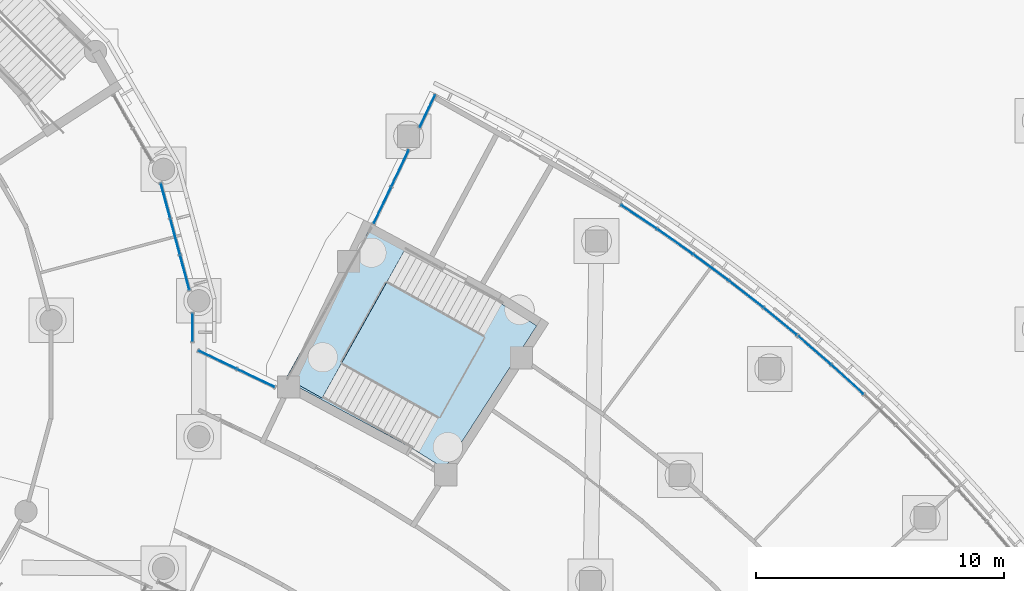
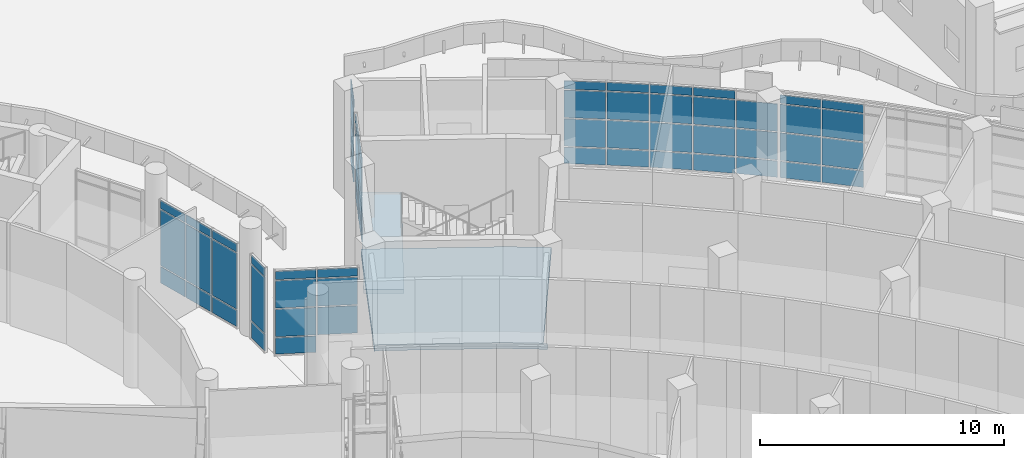
# One storey, part 51 of 146: 58 plates, 2 slabs, 8 elements without a shape of their own.
"""IFC4 building model written with IfcOpenShell, lengths in metres."""

import ifcopenshell
import ifcopenshell.guid

model = None  # the IFC model being written
_history = None  # IfcOwnerHistory: only IFC2X3 demands one
_inside = {}  # id of a spatial element -> (the spatial element, [elements in it])
_under = {}  # id of a project, library or spatial element -> (it, [spatial elements below it])
_declared = {}  # id of a project -> (the project, [libraries it declares])
_typed = {}  # id of a type object -> (the type object, [elements of that type])
_made_of = {}  # id of a material, layer set ... -> (it, [elements and type objects made of it])


def new_model(schema):
    """Start an empty IFC model of exactly this schema.

    Asked for "IFC4X3", IfcOpenShell would pick the latest addendum, in which some entities
    have other attributes; the version numbers below select the first issue.
    IFC2X3 requires an IfcOwnerHistory on every rooted entity: one is made here for all.
    """
    global model, _history
    if schema == "IFC4X3":
        model = ifcopenshell.file(schema_version=(4, 3, 0, 0))
    else:
        model = ifcopenshell.file(schema=schema)
    _inside.clear()
    _under.clear()
    _declared.clear()
    _typed.clear()
    _made_of.clear()
    _history = None
    if model.schema == "IFC2X3":
        org = make("IfcOrganization", Name="unknown")
        user = make(
            "IfcPersonAndOrganization",
            ThePerson=make("IfcPerson", FamilyName="unknown"),
            TheOrganization=org,
        )
        app = make(
            "IfcApplication",
            ApplicationDeveloper=org,
            Version="unknown",
            ApplicationFullName="unknown",
            ApplicationIdentifier="unknown",
        )
        _history = make(
            "IfcOwnerHistory",
            OwningUser=user,
            OwningApplication=app,
            ChangeAction="ADDED",
            CreationDate=0,
        )
    return model


def make(cls, **values):
    """One entity of the class cls with the attributes given. An attribute that is None is left unset."""
    return model.create_entity(
        cls, **{name: value for name, value in values.items() if value is not None}
    )


def rooted(cls, **values):
    """An entity with a GlobalId (a new one), such as an element, a storey or a relation."""
    return make(cls, GlobalId=ifcopenshell.guid.new(), OwnerHistory=_history, **values)


def si_unit(unit_type, name, prefix=None):
    """IfcSIUnit, for example si_unit("LENGTHUNIT", "METRE", prefix="MILLI")."""
    return make("IfcSIUnit", UnitType=unit_type, Prefix=prefix, Name=name)


def assignment(units):
    """IfcUnitAssignment: the units of a project."""
    return None if units is None else make("IfcUnitAssignment", Units=units)


def point(xyz):
    """IfcCartesianPoint."""
    return None if xyz is None else make("IfcCartesianPoint", Coordinates=xyz)


def direction(xyz):
    """IfcDirection."""
    return None if xyz is None else make("IfcDirection", DirectionRatios=xyz)


def frame(location, z_axis=None, x_axis=None):
    """IfcAxis2Placement3D, a coordinate frame: its origin and axes. An axis left out is left unset."""
    return make(
        "IfcAxis2Placement3D",
        Location=point(location),
        Axis=direction(z_axis),
        RefDirection=direction(x_axis),
    )


def frame_2d(location, x_axis=None):
    """IfcAxis2Placement2D, a coordinate frame in the plane: its origin and x axis."""
    return make(
        "IfcAxis2Placement2D", Location=point(location), RefDirection=direction(x_axis)
    )


def origin():
    """The frame at (0, 0, 0) with its axes left unset."""
    return frame((0.0, 0.0, 0.0))


def origin_2d():
    """The frame at (0, 0) in the plane with its x axis left unset."""
    return frame_2d((0.0, 0.0))


def place(relative_to, where):
    """IfcLocalPlacement: puts the frame where relative to a parent placement (None: the world)."""
    return make(
        "IfcLocalPlacement", PlacementRelTo=relative_to, RelativePlacement=where
    )


def context(
    kind, dimensions, precision=None, world=None, true_north=None, identifier=None
):
    """IfcGeometricRepresentationContext, for example the 3D "Model" context."""
    return make(
        "IfcGeometricRepresentationContext",
        ContextIdentifier=identifier,
        ContextType=kind,
        CoordinateSpaceDimension=dimensions,
        Precision=precision,
        WorldCoordinateSystem=world,
        TrueNorth=true_north,
    )


def subcontext(parent, identifier, kind, view, scale=None):
    """IfcGeometricRepresentationSubContext, for example "Body" below "Model"."""
    return make(
        "IfcGeometricRepresentationSubContext",
        ContextIdentifier=identifier,
        ContextType=kind,
        ParentContext=parent,
        TargetScale=scale,
        TargetView=view,
    )


def project(units=None, contexts=None):
    """IfcProject with its units and contexts."""
    return rooted(
        "IfcProject",
        Name="project",
        RepresentationContexts=contexts,
        UnitsInContext=assignment(units),
    )


def spatial(cls, under=None, at=None, **own):
    """A site, building, storey or space (cls), placed at a placement, below another one or the project."""
    s = rooted(cls, ObjectPlacement=at, **own)
    if under is not None:
        _under.setdefault(under.id(), (under, []))[1].append(s)
    return s


def polyline(points):
    """IfcPolyline through the points."""
    return make("IfcPolyline", Points=[point(p) for p in points])


def profile(cls, at=None, kind="AREA", **sizes):
    """A parametric profile (cls). Its sizes go by their IFC names, for example OverallWidth=200.0."""
    return make(cls, ProfileType=kind, Position=at, **sizes)


def rectangle(**sizes):
    """IfcRectangleProfileDef."""
    return profile("IfcRectangleProfileDef", **sizes)


def outline(outer, holes=None, kind="AREA"):
    """IfcArbitraryClosedProfileDef: a profile drawn as a closed curve; with holes, ...WithVoids."""
    if holes is None:
        return make("IfcArbitraryClosedProfileDef", ProfileType=kind, OuterCurve=outer)
    return make(
        "IfcArbitraryProfileDefWithVoids",
        ProfileType=kind,
        OuterCurve=outer,
        InnerCurves=holes,
    )


def extrude(swept, where, along, depth):
    """IfcExtrudedAreaSolid: the profile swept, set in the frame where, extruded along a direction by depth."""
    return make(
        "IfcExtrudedAreaSolid",
        SweptArea=swept,
        Position=where,
        ExtrudedDirection=direction(along),
        Depth=depth,
    )


def shape(context_of_items, identifier, shape_type, items):
    """IfcShapeRepresentation: the items that make up one representation, for example the "Body"."""
    return make(
        "IfcShapeRepresentation",
        ContextOfItems=context_of_items,
        RepresentationIdentifier=identifier,
        RepresentationType=shape_type,
        Items=items,
    )


def material(Name=None, Category=None):
    """IfcMaterial."""
    return make("IfcMaterial", Name=Name, Category=Category)


def layer(
    of_material, thickness, ventilated=None, Name=None, Category=None, Priority=None
):
    """IfcMaterialLayer: one layer of a wall or slab, of a material (None: an air gap)."""
    return make(
        "IfcMaterialLayer",
        Material=of_material,
        LayerThickness=thickness,
        IsVentilated=ventilated,
        Name=Name,
        Category=Category,
        Priority=Priority,
    )


def layer_set(layers, Name=None):
    """IfcMaterialLayerSet."""
    return make("IfcMaterialLayerSet", MaterialLayers=layers, LayerSetName=Name)


def made_of(thing, what):
    """Note that an element or type object is made of a material, layer set ...; save() writes the relation."""
    if what is not None:
        _made_of.setdefault(what.id(), (what, []))[1].append(thing)
    return thing


def type_object(cls, material=None, **own):
    """A type object (cls), such as IfcWallType, which elements share."""
    return made_of(rooted(cls, **own), material)


def element(
    cls,
    number,
    at=None,
    inside=None,
    cuts=None,
    type_object=None,
    material=None,
    context=None,
    identifier="Body",
    shape_type=None,
    held_by="IfcProductDefinitionShape",
    body=None,
    shapes=None,
    **own,
):
    """One element of the class cls, such as IfcWall. Its Tag is "e" and its number.

    at: its placement. inside: the storey or other place that contains it. cuts: it is an
    opening in that element (IfcRelVoidsElement). A single representation is given by context,
    identifier, shape_type and body (its items); several are given by shapes. held_by: the class
    of the entity that holds the representations. save() writes the other relations.
    """
    e = rooted(cls, Tag="e%d" % number, ObjectPlacement=at, **own)
    if body is not None:
        shapes = [shape(context, identifier, shape_type, body)]
    if shapes is not None:
        e.Representation = make(held_by, Representations=shapes)
    if inside is not None:
        _inside.setdefault(inside.id(), (inside, []))[1].append(e)
    if cuts is not None:
        rooted(
            "IfcRelVoidsElement", RelatingBuildingElement=cuts, RelatedOpeningElement=e
        )
    if type_object is not None:
        _typed.setdefault(type_object.id(), (type_object, []))[1].append(e)
    return made_of(e, material)


def aggregate(whole, parts):
    """IfcRelAggregates: a whole, such as a stair, and the parts it consists of."""
    return rooted("IfcRelAggregates", RelatingObject=whole, RelatedObjects=parts)


def save(model, path):
    """Write the relations noted so far, then the file.

    IfcRelAggregates (storeys below a building ...), IfcRelContainedInSpatialStructure (elements
    in a storey), IfcRelDefinesByType, IfcRelAssociatesMaterial and IfcRelDeclares: one each for
    every whole, place, type object, material and project.
    """
    for whole, parts in _under.values():
        aggregate(whole, parts)
    for where, things in _inside.values():
        rooted(
            "IfcRelContainedInSpatialStructure",
            RelatedElements=things,
            RelatingStructure=where,
        )
    for kind, things in _typed.values():
        rooted("IfcRelDefinesByType", RelatedObjects=things, RelatingType=kind)
    for what, things in _made_of.values():
        rooted("IfcRelAssociatesMaterial", RelatedObjects=things, RelatingMaterial=what)
    for by, libraries in _declared.values():
        rooted("IfcRelDeclares", RelatingContext=by, RelatedDefinitions=libraries)
    model.write(path)


model = new_model("IFC4")

# Units and contexts
model_context = context("Model", 3, precision=1e-05, world=origin(), true_north=direction((0.0, 1.0)))
body_context = subcontext(model_context, "Body", "Model", "MODEL_VIEW")
ifc_project = project(units=[si_unit("LENGTHUNIT", "METRE"), si_unit("AREAUNIT", "SQUARE_METRE"), si_unit("VOLUMEUNIT", "CUBIC_METRE"), si_unit("PLANEANGLEUNIT", "RADIAN"), si_unit("MASSUNIT", "GRAM", prefix="KILO")], contexts=[model_context])

# Site, building, storey
site_placement = place(None, origin())
site = spatial("IfcSite", under=ifc_project, at=site_placement, CompositionType="ELEMENT")
building_placement = place(site_placement, origin())
building = spatial("IfcBuilding", under=site, at=building_placement, Name="Bougainvillea Quay General Hospital", CompositionType="ELEMENT")
storey_placement = place(building_placement, origin())
storey = spatial("IfcBuildingStorey", under=building, at=storey_placement, Name="L00", CompositionType="ELEMENT", Elevation=0.0)

# Curtain wall, plates
ifc_material_1 = material(Name="Aluminium curtain wall system, powder-coated glazed", Category="aluminium")
curtain_wall_type_1 = type_object("IfcCurtainWallType", Name="Unitised curtain wall CW-2100", PredefinedType="NOTDEFINED", material=ifc_material_1)
curtain_wall_1_placement = place(storey_placement, origin())
curtain_wall_1 = element("IfcCurtainWall", 1, at=curtain_wall_1_placement, inside=storey, type_object=curtain_wall_type_1, Name="CW-E02 a23b1", PredefinedType="NOTDEFINED")
ifc_material_2 = material(Name="Insulated aluminium spandrel panel, white", Category="aluminium")
ifc_layer_1 = layer(ifc_material_2, 0.028076171875)
ifc_layer_set_1 = layer_set([ifc_layer_1], Name="Insulated aluminium spandrel panel, white")
plate_type_1 = type_object("IfcPlateType", Name="Insulated spandrel panel white 28", PredefinedType="CURTAIN_PANEL", material=ifc_layer_set_1)
plate_1_placement = place(storey_placement, frame((147.7509765625, 80.121826171875, 0.06005859375), z_axis=(0.0, 0.0, 1.0), x_axis=(0.833469434396, -0.552565563465, 0.0)))
plate_1 = element("IfcPlate", 2, at=plate_1_placement, type_object=plate_type_1, Name="CW-E02 spandrel panel 1.1", PredefinedType="CURTAIN_PANEL", context=body_context, shape_type="SweptSolid", body=[
    extrude(rectangle(XDim=1.690185546875, YDim=0.028076171875, at=origin_2d()), origin(), (0.0, 0.0, 1.0), 0.81005859375),
])
plate_2_placement = place(storey_placement, frame((147.7509765625, 80.121826171875, 3.7802734375), z_axis=(0.0, 0.0, 1.0), x_axis=(0.833469434396, -0.552565563465, 0.0)))
plate_2 = element("IfcPlate", 3, at=plate_2_placement, type_object=plate_type_1, Name="CW-E02 spandrel panel 1.4", PredefinedType="CURTAIN_PANEL", context=body_context, shape_type="SweptSolid", body=[
    extrude(rectangle(XDim=1.690185546875, YDim=0.028076171875, at=origin_2d()), origin(), (0.0, 0.0, 1.0), 0.409912109375),
])
plate_3_placement = place(storey_placement, frame((149.20947265625, 79.127685546875, 0.06005859375), z_axis=(0.0, 0.0, 1.0), x_axis=(0.819095979911, -0.573656496253, 0.0)))
plate_3 = element("IfcPlate", 4, at=plate_3_placement, type_object=plate_type_1, Name="CW-E02 spandrel panel 2.1", PredefinedType="CURTAIN_PANEL", context=body_context, shape_type="SweptSolid", body=[
    extrude(rectangle(XDim=1.72021484375, YDim=0.028076171875, at=origin_2d()), origin(), (0.0, 0.0, 1.0), 0.81005859375),
])
plate_4_placement = place(storey_placement, frame((149.20947265625, 79.127685546875, 3.7802734375), z_axis=(0.0, 0.0, 1.0), x_axis=(0.819095979911, -0.573656496253, 0.0)))
plate_4 = element("IfcPlate", 5, at=plate_4_placement, type_object=plate_type_1, Name="CW-E02 spandrel panel 2.4", PredefinedType="CURTAIN_PANEL", context=body_context, shape_type="SweptSolid", body=[
    extrude(rectangle(XDim=1.72021484375, YDim=0.028076171875, at=origin_2d()), origin(), (0.0, 0.0, 1.0), 0.409912109375),
])
plate_5_placement = place(storey_placement, frame((150.654541015625, 78.087890625, 0.06005859375), z_axis=(0.0, 0.0, 1.0), x_axis=(0.804188946942, -0.594373735638, 0.0)))
plate_5 = element("IfcPlate", 6, at=plate_5_placement, type_object=plate_type_1, Name="CW-E02 spandrel panel 3.1", PredefinedType="CURTAIN_PANEL", context=body_context, shape_type="SweptSolid", body=[
    extrude(rectangle(XDim=1.72021484375, YDim=0.028076171875, at=origin_2d()), origin(), (0.0, 0.0, 1.0), 0.81005859375),
])
plate_6_placement = place(storey_placement, frame((150.654541015625, 78.087890625, 3.7802734375), z_axis=(0.0, 0.0, 1.0), x_axis=(0.804188946942, -0.594373735638, 0.0)))
plate_6 = element("IfcPlate", 7, at=plate_6_placement, type_object=plate_type_1, Name="CW-E02 spandrel panel 3.4", PredefinedType="CURTAIN_PANEL", context=body_context, shape_type="SweptSolid", body=[
    extrude(rectangle(XDim=1.72021484375, YDim=0.028076171875, at=origin_2d()), origin(), (0.0, 0.0, 1.0), 0.409912109375),
])
plate_7_placement = place(storey_placement, frame((152.072265625, 77.01171875, 0.06005859375), z_axis=(0.0, 0.0, 1.0), x_axis=(0.788758046282, -0.614703785921, 0.0)))
plate_7 = element("IfcPlate", 8, at=plate_7_placement, type_object=plate_type_1, Name="CW-E02 spandrel panel 4.1", PredefinedType="CURTAIN_PANEL", context=body_context, shape_type="SweptSolid", body=[
    extrude(rectangle(XDim=1.72021484375, YDim=0.028076171875, at=origin_2d()), origin(), (0.0, 0.0, 1.0), 0.81005859375),
])
plate_8_placement = place(storey_placement, frame((152.072265625, 77.01171875, 3.7802734375), z_axis=(0.0, 0.0, 1.0), x_axis=(0.788758046282, -0.614703785921, 0.0)))
plate_8 = element("IfcPlate", 9, at=plate_8_placement, type_object=plate_type_1, Name="CW-E02 spandrel panel 4.4", PredefinedType="CURTAIN_PANEL", context=body_context, shape_type="SweptSolid", body=[
    extrude(rectangle(XDim=1.72021484375, YDim=0.028076171875, at=origin_2d()), origin(), (0.0, 0.0, 1.0), 0.409912109375),
])
plate_9_placement = place(storey_placement, frame((153.45068359375, 75.9091796875, 0.06005859375), z_axis=(0.0, 0.0, 1.0), x_axis=(0.772813329985, -0.634633403626, 0.0)))
plate_9 = element("IfcPlate", 10, at=plate_9_placement, type_object=plate_type_1, Name="CW-E02 spandrel panel 5.1", PredefinedType="CURTAIN_PANEL", context=body_context, shape_type="SweptSolid", body=[
    extrude(rectangle(XDim=1.690185546875, YDim=0.028076171875, at=origin_2d()), origin(), (0.0, 0.0, 1.0), 0.81005859375),
])

curtain_wall_2_placement = place(storey_placement, origin())
curtain_wall_2 = element("IfcCurtainWall", 11, at=curtain_wall_2_placement, inside=storey, type_object=curtain_wall_type_1, Name="CW-E03 a23b2", PredefinedType="NOTDEFINED")
plate_10_placement = place(storey_placement, frame((154.8349609375, 74.74267578125, 0.06005859375), z_axis=(0.0, 0.0, 1.0), x_axis=(0.756365184815, -0.65414960613, 0.0)))
plate_10 = element("IfcPlate", 12, at=plate_10_placement, type_object=plate_type_1, Name="CW-E03 spandrel panel 1.1", PredefinedType="CURTAIN_PANEL", context=body_context, shape_type="SweptSolid", body=[
    extrude(rectangle(XDim=1.690185546875, YDim=0.028076171875, at=origin_2d()), origin(), (0.0, 0.0, 1.0), 0.81005859375),
])
plate_11_placement = place(storey_placement, frame((154.8349609375, 74.74267578125, 3.7802734375), z_axis=(0.0, 0.0, 1.0), x_axis=(0.756365184815, -0.65414960613, 0.0)))
plate_11 = element("IfcPlate", 13, at=plate_11_placement, type_object=plate_type_1, Name="CW-E03 spandrel panel 1.4", PredefinedType="CURTAIN_PANEL", context=body_context, shape_type="SweptSolid", body=[
    extrude(rectangle(XDim=1.690185546875, YDim=0.028076171875, at=origin_2d()), origin(), (0.0, 0.0, 1.0), 0.409912109375),
])
plate_12_placement = place(storey_placement, frame((156.155029296875, 73.571044921875, 0.06005859375), z_axis=(0.0, 0.0, 1.0), x_axis=(0.739424325484, -0.673239680116, 0.0)))
plate_12 = element("IfcPlate", 14, at=plate_12_placement, type_object=plate_type_1, Name="CW-E03 spandrel panel 2.1", PredefinedType="CURTAIN_PANEL", context=body_context, shape_type="SweptSolid", body=[
    extrude(rectangle(XDim=1.72021484375, YDim=0.028076171875, at=origin_2d()), origin(), (0.0, 0.0, 1.0), 0.81005859375),
])
plate_13_placement = place(storey_placement, frame((156.155029296875, 73.571044921875, 3.7802734375), z_axis=(0.0, 0.0, 1.0), x_axis=(0.739424325484, -0.673239680116, 0.0)))
plate_13 = element("IfcPlate", 15, at=plate_13_placement, type_object=plate_type_1, Name="CW-E03 spandrel panel 2.4", PredefinedType="CURTAIN_PANEL", context=body_context, shape_type="SweptSolid", body=[
    extrude(rectangle(XDim=1.72021484375, YDim=0.028076171875, at=origin_2d()), origin(), (0.0, 0.0, 1.0), 0.409912109375),
])

curtain_wall_type_2 = type_object("IfcCurtainWallType", Name="Unitised curtain wall CW-1530", PredefinedType="NOTDEFINED", material=ifc_material_1)
curtain_wall_3_placement = place(storey_placement, origin())
curtain_wall_3 = element("IfcCurtainWall", 16, at=curtain_wall_3_placement, inside=storey, type_object=curtain_wall_type_2, Name="CW-AE 00", PredefinedType="NOTDEFINED")
plate_14_placement = place(storey_placement, frame((139.232421875, 84.383056640625, 0.06005859375), z_axis=(0.0, 0.0, 1.0), x_axis=(-0.430530445105, -0.902576055431, 0.0)))
plate_14 = element("IfcPlate", 17, at=plate_14_placement, type_object=plate_type_1, Name="CW-AE spandrel panel 1.1", PredefinedType="CURTAIN_PANEL", context=body_context, shape_type="SweptSolid", body=[
    extrude(rectangle(XDim=1.409912109375, YDim=0.028076171875, at=origin_2d()), origin(), (0.0, 0.0, 1.0), 0.81005859375),
])
plate_15_placement = place(storey_placement, frame((139.232421875, 84.383056640625, 3.7802734375), z_axis=(0.0, 0.0, 1.0), x_axis=(-0.430530445105, -0.902576055431, 0.0)))
plate_15 = element("IfcPlate", 18, at=plate_15_placement, type_object=plate_type_1, Name="CW-AE spandrel panel 1.4", PredefinedType="CURTAIN_PANEL", context=body_context, shape_type="SweptSolid", body=[
    extrude(rectangle(XDim=1.409912109375, YDim=0.028076171875, at=origin_2d()), origin(), (0.0, 0.0, 1.0), 0.409912109375),
])

curtain_wall_type_3 = type_object("IfcCurtainWallType", Name="Unitised curtain wall CW-1678", PredefinedType="NOTDEFINED", material=ifc_material_1)
curtain_wall_4_placement = place(storey_placement, origin())
curtain_wall_4 = element("IfcCurtainWall", 19, at=curtain_wall_4_placement, inside=storey, type_object=curtain_wall_type_3, Name="CW-AE 01", PredefinedType="NOTDEFINED")
plate_16_placement = place(storey_placement, frame((138.130615234375, 82.073486328125, 0.06005859375), z_axis=(0.0, 0.0, 1.0), x_axis=(-0.430530445105, -0.902576055431, 0.0)))
plate_16 = element("IfcPlate", 20, at=plate_16_placement, type_object=plate_type_1, Name="CW-AE spandrel panel 1.1", PredefinedType="CURTAIN_PANEL", context=body_context, shape_type="SweptSolid", body=[
    extrude(rectangle(XDim=1.587890625, YDim=0.028076171875, at=origin_2d()), origin(), (0.0, 0.0, 1.0), 0.81005859375),
])
plate_17_placement = place(storey_placement, frame((138.130615234375, 82.073486328125, 3.7802734375), z_axis=(0.0, 0.0, 1.0), x_axis=(-0.430530445105, -0.902576055431, 0.0)))
plate_17 = element("IfcPlate", 21, at=plate_17_placement, type_object=plate_type_1, Name="CW-AE spandrel panel 1.4", PredefinedType="CURTAIN_PANEL", context=body_context, shape_type="SweptSolid", body=[
    extrude(rectangle(XDim=1.587890625, YDim=0.028076171875, at=origin_2d()), origin(), (0.0, 0.0, 1.0), 0.409912109375),
])
plate_18_placement = place(storey_placement, frame((137.421142578125, 80.586181640625, 0.06005859375), z_axis=(0.0, 0.0, 1.0), x_axis=(-0.430530445105, -0.902576055431, 0.0)))
plate_18 = element("IfcPlate", 22, at=plate_18_placement, type_object=plate_type_1, Name="CW-AE spandrel panel 2.1", PredefinedType="CURTAIN_PANEL", context=body_context, shape_type="SweptSolid", body=[
    extrude(rectangle(XDim=1.587890625, YDim=0.028076171875, at=origin_2d()), origin(), (0.0, 0.0, 1.0), 0.81005859375),
])
plate_19_placement = place(storey_placement, frame((137.421142578125, 80.586181640625, 3.7802734375), z_axis=(0.0, 0.0, 1.0), x_axis=(-0.430530445105, -0.902576055431, 0.0)))
plate_19 = element("IfcPlate", 23, at=plate_19_placement, type_object=plate_type_1, Name="CW-AE spandrel panel 2.4", PredefinedType="CURTAIN_PANEL", context=body_context, shape_type="SweptSolid", body=[
    extrude(rectangle(XDim=1.587890625, YDim=0.028076171875, at=origin_2d()), origin(), (0.0, 0.0, 1.0), 0.409912109375),
])

curtain_wall_type_4 = type_object("IfcCurtainWallType", Name="Unitised curtain wall CW-1745", PredefinedType="NOTDEFINED", material=ifc_material_1)
curtain_wall_5_placement = place(storey_placement, origin())
curtain_wall_5 = element("IfcCurtainWall", 24, at=curtain_wall_5_placement, inside=storey, type_object=curtain_wall_type_4, Name="CW-AE 00", PredefinedType="NOTDEFINED")
plate_20_placement = place(storey_placement, frame((132.3203125, 73.62548828125, 3.7802734375), z_axis=(0.0, 0.0, 1.0), x_axis=(-0.902608211345, 0.430463026068, 0.0)))
plate_20 = element("IfcPlate", 25, at=plate_20_placement, type_object=plate_type_1, Name="CW-AE spandrel panel 1.4", PredefinedType="CURTAIN_PANEL", context=body_context, shape_type="SweptSolid", body=[
    extrude(rectangle(XDim=1.654296875, YDim=0.028076171875, at=origin_2d()), origin(), (0.0, 0.0, 1.0), 0.409912109375),
])
plate_21_placement = place(storey_placement, frame((130.773193359375, 74.363525390625, 0.06005859375), z_axis=(0.0, 0.0, 1.0), x_axis=(-0.902608211345, 0.430463026068, 0.0)))
plate_21 = element("IfcPlate", 26, at=plate_21_placement, type_object=plate_type_1, Name="CW-AE spandrel panel 2.1", PredefinedType="CURTAIN_PANEL", context=body_context, shape_type="SweptSolid", body=[
    extrude(rectangle(XDim=1.654296875, YDim=0.028076171875, at=origin_2d()), origin(), (0.0, 0.0, 1.0), 0.81005859375),
])
plate_22_placement = place(storey_placement, frame((130.773193359375, 74.363525390625, 3.7802734375), z_axis=(0.0, 0.0, 1.0), x_axis=(-0.902608211345, 0.430463026068, 0.0)))
plate_22 = element("IfcPlate", 27, at=plate_22_placement, type_object=plate_type_1, Name="CW-AE spandrel panel 2.4", PredefinedType="CURTAIN_PANEL", context=body_context, shape_type="SweptSolid", body=[
    extrude(rectangle(XDim=1.654296875, YDim=0.028076171875, at=origin_2d()), origin(), (0.0, 0.0, 1.0), 0.409912109375),
])

curtain_wall_type_5 = type_object("IfcCurtainWallType", Name="Unitised curtain wall CW-1211", PredefinedType="NOTDEFINED", material=ifc_material_1)
curtain_wall_6_placement = place(storey_placement, origin())
curtain_wall_6 = element("IfcCurtainWall", 28, at=curtain_wall_6_placement, inside=storey, type_object=curtain_wall_type_5, Name="CW-D 00", PredefinedType="NOTDEFINED")
plate_23_placement = place(storey_placement, frame((129.77001953125, 75.66552734375, 0.06005859375), z_axis=(0.0, 0.0, 1.0), x_axis=(0.0, 1.0, 0.0)))
plate_23 = element("IfcPlate", 29, at=plate_23_placement, type_object=plate_type_1, Name="CW-D spandrel panel 1.1", PredefinedType="CURTAIN_PANEL", context=body_context, shape_type="SweptSolid", body=[
    extrude(rectangle(XDim=1.091064453125, YDim=0.028076171875, at=origin_2d()), origin(), (0.0, 0.0, 1.0), 0.81005859375),
])
plate_24_placement = place(storey_placement, frame((129.77001953125, 75.66552734375, 3.7802734375), z_axis=(0.0, 0.0, 1.0), x_axis=(0.0, 1.0, 0.0)))
plate_24 = element("IfcPlate", 30, at=plate_24_placement, type_object=plate_type_1, Name="CW-D spandrel panel 1.3", PredefinedType="CURTAIN_PANEL", context=body_context, shape_type="SweptSolid", body=[
    extrude(rectangle(XDim=1.091064453125, YDim=0.028076171875, at=origin_2d()), origin(), (0.0, 0.0, 1.0), 0.409912109375),
])

curtain_wall_type_6 = type_object("IfcCurtainWallType", Name="Unitised curtain wall CW-1514", PredefinedType="NOTDEFINED", material=ifc_material_1)
curtain_wall_7_placement = place(storey_placement, origin())
curtain_wall_7 = element("IfcCurtainWall", 31, at=curtain_wall_7_placement, inside=storey, type_object=curtain_wall_type_6, Name="CW-D 00", PredefinedType="NOTDEFINED")
plate_25_placement = place(storey_placement, frame((129.45703125, 77.8759765625, 0.06005859375), z_axis=(0.0, 0.0, 1.0), x_axis=(-0.258854621298, 0.965916292974, 0.0)))
plate_25 = element("IfcPlate", 32, at=plate_25_placement, type_object=plate_type_1, Name="CW-D spandrel panel 1.1", PredefinedType="CURTAIN_PANEL", context=body_context, shape_type="SweptSolid", body=[
    extrude(rectangle(XDim=1.423828125, YDim=0.028076171875, at=origin_2d()), origin(), (0.0, 0.0, 1.0), 0.81005859375),
])
plate_26_placement = place(storey_placement, frame((129.45703125, 77.8759765625, 3.7802734375), z_axis=(0.0, 0.0, 1.0), x_axis=(-0.258854621298, 0.965916292974, 0.0)))
plate_26 = element("IfcPlate", 33, at=plate_26_placement, type_object=plate_type_1, Name="CW-D spandrel panel 1.3", PredefinedType="CURTAIN_PANEL", context=body_context, shape_type="SweptSolid", body=[
    extrude(rectangle(XDim=1.423828125, YDim=0.028076171875, at=origin_2d()), origin(), (0.0, 0.0, 1.0), 0.409912109375),
])
plate_27_placement = place(storey_placement, frame((129.069091796875, 79.32373046875, 0.06005859375), z_axis=(0.0, 0.0, 1.0), x_axis=(-0.258854621298, 0.965916292974, 0.0)))
plate_27 = element("IfcPlate", 34, at=plate_27_placement, type_object=plate_type_1, Name="CW-D spandrel panel 2.1", PredefinedType="CURTAIN_PANEL", context=body_context, shape_type="SweptSolid", body=[
    extrude(rectangle(XDim=1.453857421875, YDim=0.028076171875, at=origin_2d()), origin(), (0.0, 0.0, 1.0), 0.81005859375),
])
plate_28_placement = place(storey_placement, frame((129.069091796875, 79.32373046875, 3.7802734375), z_axis=(0.0, 0.0, 1.0), x_axis=(-0.258854621298, 0.965916292974, 0.0)))
plate_28 = element("IfcPlate", 35, at=plate_28_placement, type_object=plate_type_1, Name="CW-D spandrel panel 2.3", PredefinedType="CURTAIN_PANEL", context=body_context, shape_type="SweptSolid", body=[
    extrude(rectangle(XDim=1.453857421875, YDim=0.028076171875, at=origin_2d()), origin(), (0.0, 0.0, 1.0), 0.409912109375),
])
plate_29_placement = place(storey_placement, frame((128.680908203125, 80.771728515625, 0.06005859375), z_axis=(0.0, 0.0, 1.0), x_axis=(-0.258854621298, 0.965916292974, 0.0)))
plate_29 = element("IfcPlate", 36, at=plate_29_placement, type_object=plate_type_1, Name="CW-D spandrel panel 3.1", PredefinedType="CURTAIN_PANEL", context=body_context, shape_type="SweptSolid", body=[
    extrude(rectangle(XDim=1.423828125, YDim=0.028076171875, at=origin_2d()), origin(), (0.0, 0.0, 1.0), 0.81005859375),
])
plate_30_placement = place(storey_placement, frame((128.680908203125, 80.771728515625, 3.7802734375), z_axis=(0.0, 0.0, 1.0), x_axis=(-0.258854621298, 0.965916292974, 0.0)))
plate_30 = element("IfcPlate", 37, at=plate_30_placement, type_object=plate_type_1, Name="CW-D spandrel panel 3.3", PredefinedType="CURTAIN_PANEL", context=body_context, shape_type="SweptSolid", body=[
    extrude(rectangle(XDim=1.423828125, YDim=0.028076171875, at=origin_2d()), origin(), (0.0, 0.0, 1.0), 0.409912109375),
])

# Plate
ifc_material_3 = material(Name="Low-e laminated glass, solar control", Category="glass")
ifc_layer_2 = layer(ifc_material_3, 0.028076171875)
ifc_layer_set_2 = layer_set([ifc_layer_2], Name="Low-e laminated glass, solar control")
plate_type_2 = type_object("IfcPlateType", Name="Low-e laminated vision glass 28", PredefinedType="CURTAIN_PANEL", material=ifc_layer_set_2)
plate_31_placement = place(storey_placement, frame((147.7509765625, 80.121826171875, 0.93017578125), z_axis=(0.0, 0.0, 1.0), x_axis=(0.833469434396, -0.552565563465, 0.0)))
plate_31 = element("IfcPlate", 38, at=plate_31_placement, type_object=plate_type_2, Name="CW-E02 vision glass panel 1.2", PredefinedType="CURTAIN_PANEL", context=body_context, shape_type="SweptSolid", body=[
    extrude(rectangle(XDim=1.690185546875, YDim=0.028076171875, at=origin_2d()), origin(), (0.0, 0.0, 1.0), 1.364990234375),
])

plate_32_placement = place(storey_placement, frame((147.7509765625, 80.121826171875, 2.35498046875), z_axis=(0.0, 0.0, 1.0), x_axis=(0.833469434396, -0.552565563465, 0.0)))
plate_32 = element("IfcPlate", 39, at=plate_32_placement, type_object=plate_type_2, Name="CW-E02 vision glass panel 1.3", PredefinedType="CURTAIN_PANEL", context=body_context, shape_type="SweptSolid", body=[
    extrude(rectangle(XDim=1.690185546875, YDim=0.028076171875, at=origin_2d()), origin(), (0.0, 0.0, 1.0), 1.364990234375),
])

plate_33_placement = place(storey_placement, frame((149.20947265625, 79.127685546875, 0.93017578125), z_axis=(0.0, 0.0, 1.0), x_axis=(0.819095979911, -0.573656496253, 0.0)))
plate_33 = element("IfcPlate", 40, at=plate_33_placement, type_object=plate_type_2, Name="CW-E02 vision glass panel 2.2", PredefinedType="CURTAIN_PANEL", context=body_context, shape_type="SweptSolid", body=[
    extrude(rectangle(XDim=1.72021484375, YDim=0.028076171875, at=origin_2d()), origin(), (0.0, 0.0, 1.0), 1.364990234375),
])

plate_34_placement = place(storey_placement, frame((149.20947265625, 79.127685546875, 2.35498046875), z_axis=(0.0, 0.0, 1.0), x_axis=(0.819095979911, -0.573656496253, 0.0)))
plate_34 = element("IfcPlate", 41, at=plate_34_placement, type_object=plate_type_2, Name="CW-E02 vision glass panel 2.3", PredefinedType="CURTAIN_PANEL", context=body_context, shape_type="SweptSolid", body=[
    extrude(rectangle(XDim=1.72021484375, YDim=0.028076171875, at=origin_2d()), origin(), (0.0, 0.0, 1.0), 1.364990234375),
])

plate_35_placement = place(storey_placement, frame((150.654541015625, 78.087890625, 0.93017578125), z_axis=(0.0, 0.0, 1.0), x_axis=(0.804188946942, -0.594373735638, 0.0)))
plate_35 = element("IfcPlate", 42, at=plate_35_placement, type_object=plate_type_2, Name="CW-E02 vision glass panel 3.2", PredefinedType="CURTAIN_PANEL", context=body_context, shape_type="SweptSolid", body=[
    extrude(rectangle(XDim=1.72021484375, YDim=0.028076171875, at=origin_2d()), origin(), (0.0, 0.0, 1.0), 1.364990234375),
])

plate_36_placement = place(storey_placement, frame((150.654541015625, 78.087890625, 2.35498046875), z_axis=(0.0, 0.0, 1.0), x_axis=(0.804188946942, -0.594373735638, 0.0)))
plate_36 = element("IfcPlate", 43, at=plate_36_placement, type_object=plate_type_2, Name="CW-E02 vision glass panel 3.3", PredefinedType="CURTAIN_PANEL", context=body_context, shape_type="SweptSolid", body=[
    extrude(rectangle(XDim=1.72021484375, YDim=0.028076171875, at=origin_2d()), origin(), (0.0, 0.0, 1.0), 1.364990234375),
])

plate_37_placement = place(storey_placement, frame((152.072265625, 77.01171875, 0.93017578125), z_axis=(0.0, 0.0, 1.0), x_axis=(0.788758046282, -0.614703785921, 0.0)))
plate_37 = element("IfcPlate", 44, at=plate_37_placement, type_object=plate_type_2, Name="CW-E02 vision glass panel 4.2", PredefinedType="CURTAIN_PANEL", context=body_context, shape_type="SweptSolid", body=[
    extrude(rectangle(XDim=1.72021484375, YDim=0.028076171875, at=origin_2d()), origin(), (0.0, 0.0, 1.0), 1.364990234375),
])

plate_38_placement = place(storey_placement, frame((152.072265625, 77.01171875, 2.35498046875), z_axis=(0.0, 0.0, 1.0), x_axis=(0.788758046282, -0.614703785921, 0.0)))
plate_38 = element("IfcPlate", 45, at=plate_38_placement, type_object=plate_type_2, Name="CW-E02 vision glass panel 4.3", PredefinedType="CURTAIN_PANEL", context=body_context, shape_type="SweptSolid", body=[
    extrude(rectangle(XDim=1.72021484375, YDim=0.028076171875, at=origin_2d()), origin(), (0.0, 0.0, 1.0), 1.364990234375),
])

plate_39_placement = place(storey_placement, frame((153.45068359375, 75.9091796875, 0.93017578125), z_axis=(0.0, 0.0, 1.0), x_axis=(0.772813329985, -0.634633403626, 0.0)))
plate_39 = element("IfcPlate", 46, at=plate_39_placement, type_object=plate_type_2, Name="CW-E02 vision glass panel 5.2", PredefinedType="CURTAIN_PANEL", context=body_context, shape_type="SweptSolid", body=[
    extrude(rectangle(XDim=1.690185546875, YDim=0.028076171875, at=origin_2d()), origin(), (0.0, 0.0, 1.0), 1.364990234375),
])

plate_40_placement = place(storey_placement, frame((153.45068359375, 75.9091796875, 2.35498046875), z_axis=(0.0, 0.0, 1.0), x_axis=(0.772813329985, -0.634633403626, 0.0)))
plate_40 = element("IfcPlate", 47, at=plate_40_placement, type_object=plate_type_2, Name="CW-E02 vision glass panel 5.3", PredefinedType="CURTAIN_PANEL", context=body_context, shape_type="SweptSolid", body=[
    extrude(rectangle(XDim=1.690185546875, YDim=0.028076171875, at=origin_2d()), origin(), (0.0, 0.0, 1.0), 1.364990234375),
])

aggregate(curtain_wall_1, [plate_1, plate_31, plate_32, plate_2, plate_3, plate_33, plate_34, plate_4, plate_5, plate_35, plate_36, plate_6, plate_7, plate_37, plate_38, plate_8, plate_9, plate_39, plate_40])

plate_41_placement = place(storey_placement, frame((154.8349609375, 74.74267578125, 0.93017578125), z_axis=(0.0, 0.0, 1.0), x_axis=(0.756365184815, -0.65414960613, 0.0)))
plate_41 = element("IfcPlate", 48, at=plate_41_placement, type_object=plate_type_2, Name="CW-E03 vision glass panel 1.2", PredefinedType="CURTAIN_PANEL", context=body_context, shape_type="SweptSolid", body=[
    extrude(rectangle(XDim=1.690185546875, YDim=0.028076171875, at=origin_2d()), origin(), (0.0, 0.0, 1.0), 1.364990234375),
])

plate_42_placement = place(storey_placement, frame((154.8349609375, 74.74267578125, 2.35498046875), z_axis=(0.0, 0.0, 1.0), x_axis=(0.756365184815, -0.65414960613, 0.0)))
plate_42 = element("IfcPlate", 49, at=plate_42_placement, type_object=plate_type_2, Name="CW-E03 vision glass panel 1.3", PredefinedType="CURTAIN_PANEL", context=body_context, shape_type="SweptSolid", body=[
    extrude(rectangle(XDim=1.690185546875, YDim=0.028076171875, at=origin_2d()), origin(), (0.0, 0.0, 1.0), 1.364990234375),
])

plate_43_placement = place(storey_placement, frame((156.155029296875, 73.571044921875, 0.93017578125), z_axis=(0.0, 0.0, 1.0), x_axis=(0.739424325484, -0.673239680116, 0.0)))
plate_43 = element("IfcPlate", 50, at=plate_43_placement, type_object=plate_type_2, Name="CW-E03 vision glass panel 2.2", PredefinedType="CURTAIN_PANEL", context=body_context, shape_type="SweptSolid", body=[
    extrude(rectangle(XDim=1.72021484375, YDim=0.028076171875, at=origin_2d()), origin(), (0.0, 0.0, 1.0), 1.364990234375),
])

plate_44_placement = place(storey_placement, frame((156.155029296875, 73.571044921875, 2.35498046875), z_axis=(0.0, 0.0, 1.0), x_axis=(0.739424325484, -0.673239680116, 0.0)))
plate_44 = element("IfcPlate", 51, at=plate_44_placement, type_object=plate_type_2, Name="CW-E03 vision glass panel 2.3", PredefinedType="CURTAIN_PANEL", context=body_context, shape_type="SweptSolid", body=[
    extrude(rectangle(XDim=1.72021484375, YDim=0.028076171875, at=origin_2d()), origin(), (0.0, 0.0, 1.0), 1.364990234375),
])

aggregate(curtain_wall_2, [plate_10, plate_41, plate_42, plate_11, plate_12, plate_43, plate_44, plate_13])

plate_45_placement = place(storey_placement, frame((139.232421875, 84.383056640625, 0.93017578125), z_axis=(0.0, 0.0, 1.0), x_axis=(-0.430530445105, -0.902576055431, 0.0)))
plate_45 = element("IfcPlate", 52, at=plate_45_placement, type_object=plate_type_2, Name="CW-AE vision glass panel 1.2", PredefinedType="CURTAIN_PANEL", context=body_context, shape_type="SweptSolid", body=[
    extrude(rectangle(XDim=1.409912109375, YDim=0.028076171875, at=origin_2d()), origin(), (0.0, 0.0, 1.0), 1.364990234375),
])

plate_46_placement = place(storey_placement, frame((139.232421875, 84.383056640625, 2.35498046875), z_axis=(0.0, 0.0, 1.0), x_axis=(-0.430530445105, -0.902576055431, 0.0)))
plate_46 = element("IfcPlate", 53, at=plate_46_placement, type_object=plate_type_2, Name="CW-AE vision glass panel 1.3", PredefinedType="CURTAIN_PANEL", context=body_context, shape_type="SweptSolid", body=[
    extrude(rectangle(XDim=1.409912109375, YDim=0.028076171875, at=origin_2d()), origin(), (0.0, 0.0, 1.0), 1.364990234375),
])

aggregate(curtain_wall_3, [plate_14, plate_45, plate_46, plate_15])

plate_47_placement = place(storey_placement, frame((138.130615234375, 82.073486328125, 0.93017578125), z_axis=(0.0, 0.0, 1.0), x_axis=(-0.430530445105, -0.902576055431, 0.0)))
plate_47 = element("IfcPlate", 54, at=plate_47_placement, type_object=plate_type_2, Name="CW-AE vision glass panel 1.2", PredefinedType="CURTAIN_PANEL", context=body_context, shape_type="SweptSolid", body=[
    extrude(rectangle(XDim=1.587890625, YDim=0.028076171875, at=origin_2d()), origin(), (0.0, 0.0, 1.0), 1.364990234375),
])

plate_48_placement = place(storey_placement, frame((138.130615234375, 82.073486328125, 2.35498046875), z_axis=(0.0, 0.0, 1.0), x_axis=(-0.430530445105, -0.902576055431, 0.0)))
plate_48 = element("IfcPlate", 55, at=plate_48_placement, type_object=plate_type_2, Name="CW-AE vision glass panel 1.3", PredefinedType="CURTAIN_PANEL", context=body_context, shape_type="SweptSolid", body=[
    extrude(rectangle(XDim=1.587890625, YDim=0.028076171875, at=origin_2d()), origin(), (0.0, 0.0, 1.0), 1.364990234375),
])

plate_49_placement = place(storey_placement, frame((137.421142578125, 80.586181640625, 0.93017578125), z_axis=(0.0, 0.0, 1.0), x_axis=(-0.430530445105, -0.902576055431, 0.0)))
plate_49 = element("IfcPlate", 56, at=plate_49_placement, type_object=plate_type_2, Name="CW-AE vision glass panel 2.2", PredefinedType="CURTAIN_PANEL", context=body_context, shape_type="SweptSolid", body=[
    extrude(rectangle(XDim=1.587890625, YDim=0.028076171875, at=origin_2d()), origin(), (0.0, 0.0, 1.0), 1.364990234375),
])

plate_50_placement = place(storey_placement, frame((137.421142578125, 80.586181640625, 2.35498046875), z_axis=(0.0, 0.0, 1.0), x_axis=(-0.430530445105, -0.902576055431, 0.0)))
plate_50 = element("IfcPlate", 57, at=plate_50_placement, type_object=plate_type_2, Name="CW-AE vision glass panel 2.3", PredefinedType="CURTAIN_PANEL", context=body_context, shape_type="SweptSolid", body=[
    extrude(rectangle(XDim=1.587890625, YDim=0.028076171875, at=origin_2d()), origin(), (0.0, 0.0, 1.0), 1.364990234375),
])

aggregate(curtain_wall_4, [plate_16, plate_47, plate_48, plate_17, plate_18, plate_49, plate_50, plate_19])

plate_51_placement = place(storey_placement, frame((132.3203125, 73.62548828125, 0.93017578125), z_axis=(0.0, 0.0, 1.0), x_axis=(-0.902608211345, 0.430463026068, 0.0)))
plate_51 = element("IfcPlate", 58, at=plate_51_placement, type_object=plate_type_2, Name="CW-AE vision glass panel 1.2", PredefinedType="CURTAIN_PANEL", context=body_context, shape_type="SweptSolid", body=[
    extrude(rectangle(XDim=1.654296875, YDim=0.028076171875, at=origin_2d()), origin(), (0.0, 0.0, 1.0), 1.364990234375),
])

plate_52_placement = place(storey_placement, frame((132.3203125, 73.62548828125, 2.35498046875), z_axis=(0.0, 0.0, 1.0), x_axis=(-0.902608211345, 0.430463026068, 0.0)))
plate_52 = element("IfcPlate", 59, at=plate_52_placement, type_object=plate_type_2, Name="CW-AE vision glass panel 1.3", PredefinedType="CURTAIN_PANEL", context=body_context, shape_type="SweptSolid", body=[
    extrude(rectangle(XDim=1.654296875, YDim=0.028076171875, at=origin_2d()), origin(), (0.0, 0.0, 1.0), 1.364990234375),
])

plate_53_placement = place(storey_placement, frame((130.773193359375, 74.363525390625, 0.93017578125), z_axis=(0.0, 0.0, 1.0), x_axis=(-0.902608211345, 0.430463026068, 0.0)))
plate_53 = element("IfcPlate", 60, at=plate_53_placement, type_object=plate_type_2, Name="CW-AE vision glass panel 2.2", PredefinedType="CURTAIN_PANEL", context=body_context, shape_type="SweptSolid", body=[
    extrude(rectangle(XDim=1.654296875, YDim=0.028076171875, at=origin_2d()), origin(), (0.0, 0.0, 1.0), 1.364990234375),
])

plate_54_placement = place(storey_placement, frame((130.773193359375, 74.363525390625, 2.35498046875), z_axis=(0.0, 0.0, 1.0), x_axis=(-0.902608211345, 0.430463026068, 0.0)))
plate_54 = element("IfcPlate", 61, at=plate_54_placement, type_object=plate_type_2, Name="CW-AE vision glass panel 2.3", PredefinedType="CURTAIN_PANEL", context=body_context, shape_type="SweptSolid", body=[
    extrude(rectangle(XDim=1.654296875, YDim=0.028076171875, at=origin_2d()), origin(), (0.0, 0.0, 1.0), 1.364990234375),
])

aggregate(curtain_wall_5, [plate_51, plate_52, plate_20, plate_21, plate_53, plate_54, plate_22])

plate_55_placement = place(storey_placement, frame((129.77001953125, 75.66552734375, 0.929931640625), z_axis=(0.0, 0.0, 1.0), x_axis=(0.0, 1.0, 0.0)))
plate_55 = element("IfcPlate", 62, at=plate_55_placement, type_object=plate_type_2, Name="CW-D vision glass panel 1.2", PredefinedType="CURTAIN_PANEL", context=body_context, shape_type="SweptSolid", body=[
    extrude(rectangle(XDim=1.091064453125, YDim=0.028076171875, at=origin_2d()), origin(), (0.0, 0.0, 1.0), 2.7900390625),
])

aggregate(curtain_wall_6, [plate_23, plate_55, plate_24])

plate_56_placement = place(storey_placement, frame((129.45703125, 77.8759765625, 0.929931640625), z_axis=(0.0, 0.0, 1.0), x_axis=(-0.258854621298, 0.965916292974, 0.0)))
plate_56 = element("IfcPlate", 63, at=plate_56_placement, type_object=plate_type_2, Name="CW-D vision glass panel 1.2", PredefinedType="CURTAIN_PANEL", context=body_context, shape_type="SweptSolid", body=[
    extrude(rectangle(XDim=1.423828125, YDim=0.028076171875, at=origin_2d()), origin(), (0.0, 0.0, 1.0), 2.7900390625),
])

plate_57_placement = place(storey_placement, frame((129.069091796875, 79.32373046875, 0.929931640625), z_axis=(0.0, 0.0, 1.0), x_axis=(-0.258854621298, 0.965916292974, 0.0)))
plate_57 = element("IfcPlate", 64, at=plate_57_placement, type_object=plate_type_2, Name="CW-D vision glass panel 2.2", PredefinedType="CURTAIN_PANEL", context=body_context, shape_type="SweptSolid", body=[
    extrude(rectangle(XDim=1.453857421875, YDim=0.028076171875, at=origin_2d()), origin(), (0.0, 0.0, 1.0), 2.7900390625),
])

plate_58_placement = place(storey_placement, frame((128.680908203125, 80.771728515625, 0.929931640625), z_axis=(0.0, 0.0, 1.0), x_axis=(-0.258854621298, 0.965916292974, 0.0)))
plate_58 = element("IfcPlate", 65, at=plate_58_placement, type_object=plate_type_2, Name="CW-D vision glass panel 3.2", PredefinedType="CURTAIN_PANEL", context=body_context, shape_type="SweptSolid", body=[
    extrude(rectangle(XDim=1.423828125, YDim=0.028076171875, at=origin_2d()), origin(), (0.0, 0.0, 1.0), 2.7900390625),
])

aggregate(curtain_wall_7, [plate_25, plate_56, plate_26, plate_27, plate_57, plate_28, plate_29, plate_58, plate_30])

# Slab
ifc_material_4 = material(Name="Concrete C35", Category="concrete")
ifc_layer_3 = layer(ifc_material_4, 0.300048828125)
ifc_layer_set_3 = layer_set([ifc_layer_3], Name="Concrete C35")
slab_type_1 = type_object("IfcSlabType", Name="RC FLAT SLAB 300 C35 GROUND", PredefinedType="BASESLAB", material=ifc_layer_set_3)
slab_1_placement = place(storey_placement, frame((0.0, 0.0, -0.300048828125)))
element("IfcSlab", 66, at=slab_1_placement, inside=storey, type_object=slab_type_1, Name="Slab S1 L00", PredefinedType="BASESLAB", context=body_context, shape_type="SweptSolid", body=[
    extrude(outline(polyline([(133.889892578125, 73.33837890625), (138.5185546875, 70.8525390625), (138.529052734375, 70.847412109375), (138.5390625, 70.8408203125), (140.07275390625, 69.8857421875), (139.9267578125, 69.97998046875), (143.637451171875, 75.734375), (142.05908203125, 76.7158203125), (136.83203125, 79.52392578125), (133.80908203125, 73.18798828125), (133.889892578125, 73.33837890625)])), origin(), (0.0, 0.0, 1.0), 0.300048828125),
])

# Stair, slab
stair_type = type_object("IfcStairType", Name="Stair half-turn 1650 wide", PredefinedType="HALF_TURN_STAIR", material=ifc_material_4)
stair_placement = place(storey_placement, origin())
stair = element("IfcStair", 67, at=stair_placement, inside=storey, type_object=stair_type, Name="L00 stair ST-E1", PredefinedType="HALF_TURN_STAIR")
ifc_layer_4 = layer(ifc_material_4, 0.199951171875)
ifc_layer_set_4 = layer_set([ifc_layer_4], Name="Concrete C35")
slab_type_2 = type_object("IfcSlabType", Name="Stair landing 200", PredefinedType="LANDING", material=ifc_layer_set_4)
slab_2_placement = place(storey_placement, frame((0.0, 0.0, 2.5)))
slab_2 = element("IfcSlab", 68, at=slab_2_placement, type_object=slab_type_2, Name="ST-E1 landing 1", PredefinedType="LANDING", context=body_context, shape_type="SweptSolid", body=[
    extrude(outline(polyline([(138.381591796875, 78.895751953125), (136.931884765625, 79.704345703125), (133.54248046875, 73.628662109375), (134.991943359375, 72.81982421875), (138.381591796875, 78.895751953125)])), origin(), (0.0, 0.0, 1.0), 0.199951171875),
])
aggregate(stair, [slab_2])

save(model, "model.ifc")
